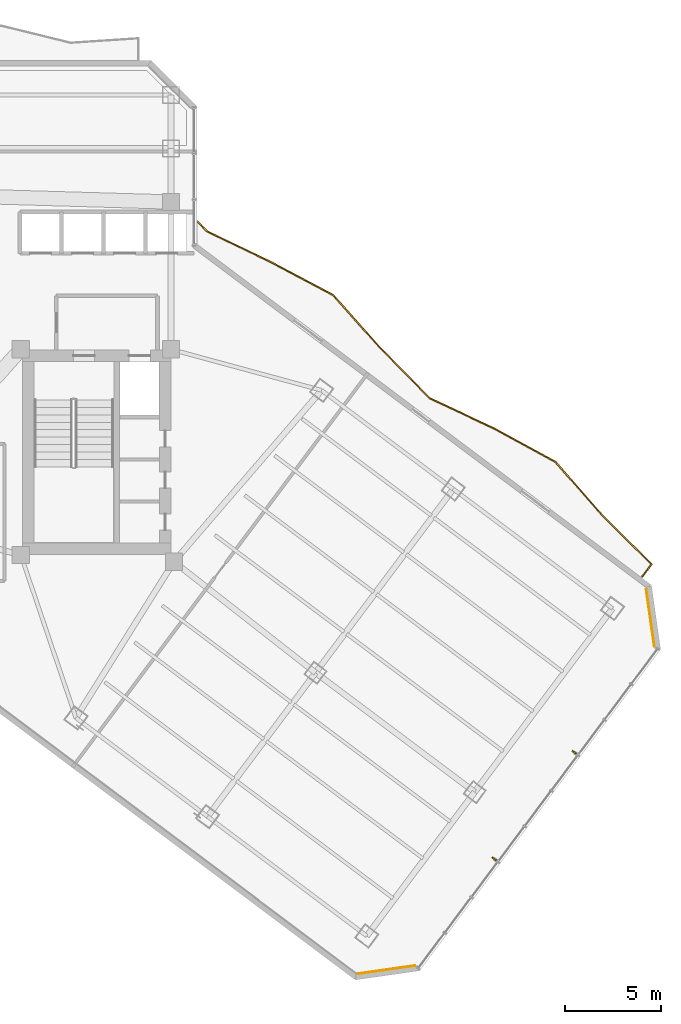
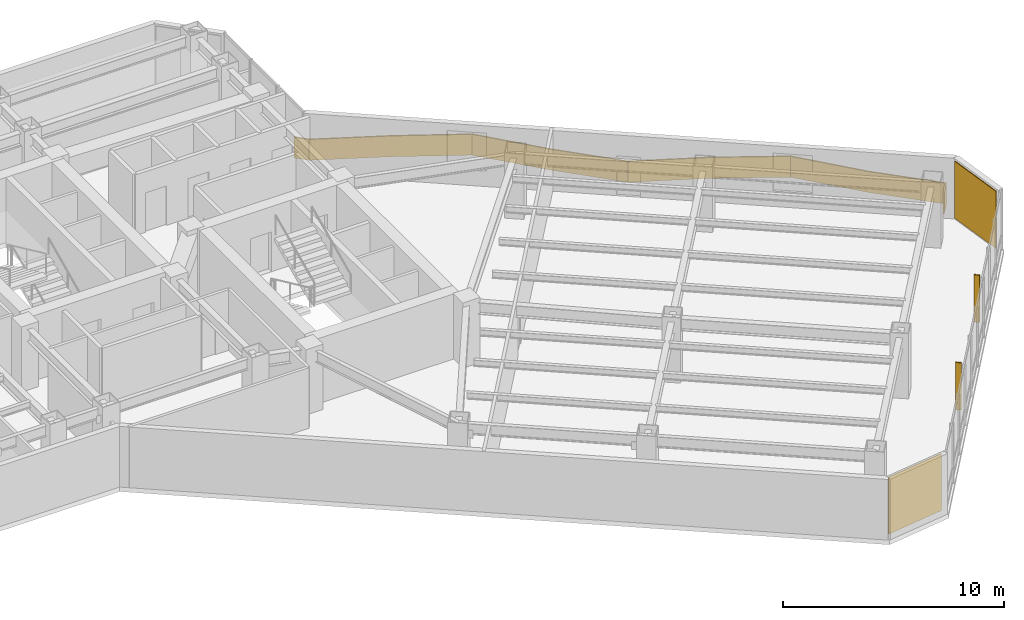
# One storey, part 27 of 29: 2 coverings, 2 shading devices, 1 railing.
"""IFC4 building model written with IfcOpenShell, lengths in metres."""

from ifc_helpers import new_model, si_unit, direction, frame, origin, origin_2d, place, context, subcontext, project, spatial, polyline, rectangle, outline, extrude, material, layer, layer_set, type_object, element, save


model = new_model("IFC4")

# Units and contexts
model_context = context("Model", 3, precision=1e-05, world=origin(), true_north=direction((0.0, 1.0)))
body_context = subcontext(model_context, "Body", "Model", "MODEL_VIEW")
ifc_project = project(units=[si_unit("LENGTHUNIT", "METRE"), si_unit("AREAUNIT", "SQUARE_METRE"), si_unit("VOLUMEUNIT", "CUBIC_METRE"), si_unit("PLANEANGLEUNIT", "RADIAN"), si_unit("MASSUNIT", "GRAM", prefix="KILO")], contexts=[model_context])

# Site, building, storey
site_placement = place(None, origin())
site = spatial("IfcSite", under=ifc_project, at=site_placement, CompositionType="ELEMENT")
building_placement = place(site_placement, origin())
building = spatial("IfcBuilding", under=site, at=building_placement, Name="Hatsunagi Terrace Concourse", CompositionType="ELEMENT")
storey_placement = place(building_placement, frame((0.0, 0.0, 115.64990234375)))
storey = spatial("IfcBuildingStorey", under=building, at=storey_placement, Name="L30", CompositionType="ELEMENT", Elevation=115.64990234375)

# Railing
ifc_material_1 = material(Name="Laminated Glass and Stainless Steel Guard", Category="steel")
ifc_layer_1 = layer(ifc_material_1, 0.070068359375)
ifc_layer_set_1 = layer_set([ifc_layer_1], Name="BalconyGlassGuardRail_1150")
railing_type = type_object("IfcRailingType", Name="BalconyGlassGuardRail_1150", PredefinedType="BALUSTRADE", material=ifc_layer_set_1)
railing_placement = place(storey_placement, origin())
element("IfcRailing", 1, at=railing_placement, inside=storey, type_object=railing_type, Name="Engawa Balcony Guard GRD-01 L30-BSE-1", PredefinedType="BALUSTRADE", context=body_context, shape_type="SweptSolid", body=[
    extrude(outline(polyline([(45.0712890625, 41.998291015625), (45.020751953125, 41.94970703125), (45.518310546875, 41.43310546875), (48.8701171875, 39.82373046875), (52.10400390625, 38.10791015625), (54.557373046875, 35.34716796875), (57.1484375, 32.717041015625), (60.519287109375, 31.1337890625), (63.725830078125, 29.38330078125), (66.16259765625, 26.596923828125), (68.716796875, 24.063720703125), (68.241943359375, 23.430908203125), (68.298095703125, 23.388916015625), (68.809326171875, 24.0703125), (66.21337890625, 26.64501953125), (63.770263671875, 29.438720703125), (60.55078125, 31.1962890625), (57.189453125, 32.77490234375), (54.608642578125, 35.39501953125), (52.14794921875, 38.1640625), (48.90185546875, 39.88623046875), (45.559814453125, 41.49072265625), (45.0712890625, 41.998291015625)])), origin(), (0.0, 0.0, 1.0), 1.150146484375),
])

# Shading devices
ifc_material_2 = material(Name="Extruded Unglazed Terracotta Baguette", Category="masonry")
shading_device_type = type_object("IfcShadingDeviceType", Name="TerracottaFinScreen_260x70", PredefinedType="USERDEFINED", material=ifc_material_2)
for number, where, z_axis, x_axis, name in (
    (2, (64.716064453125, 14.239013671875, 0.85009765625), (0.0, 0.0, 1.0), (-0.599969314634, -0.800023013105, 0.0), "Terracotta Baguette Fin Screen SCR-01"),
    (3, (60.5400390625, 8.6689453125, 0.85009765625), (0.0, 0.0, 1.0), (-0.599969314634, -0.800023013105, 0.0), "Terracotta Baguette Fin Screen SCR-01"),
):
    element("IfcShadingDevice", number, at=place(storey_placement, frame(where, z_axis=z_axis, x_axis=x_axis)), inside=storey, type_object=shading_device_type, Name=name, ObjectType="SUNSHADE", PredefinedType="USERDEFINED", context=body_context, shape_type="SweptSolid", body=[
        extrude(rectangle(XDim=0.070068359375, YDim=0.260009765625, at=origin_2d()), origin(), (0.0, 0.0, 1.0), 2.60009765625),
    ])

# Coverings
ifc_material_3 = material(Name="Unglazed Warm Terracotta Rainscreen Tile", Category="masonry")
ifc_layer_2 = layer(ifc_material_3, 0.044921875)
ifc_layer_set_2 = layer_set([ifc_layer_2], Name="TerracottaRainscreenCladding_45")
covering_type = type_object("IfcCoveringType", Name="TerracottaRainscreenCladding_45", PredefinedType="CLADDING", material=ifc_layer_set_2)
for number, where, z_axis, x_axis, name in (
    (4, (68.700927734375, 21.258056640625, 0.10009765625), (0.0, 0.0, 1.0), (0.141250262458, -0.989973920543, 0.0), "Terracotta Rainscreen Cladding L30-02"),
    (5, (54.91796875, 2.87890625, 0.10009765625), (0.0, 0.0, 1.0), (-0.989973920543, -0.141250262458, 0.0), "Terracotta Rainscreen Cladding L30-04"),
):
    element("IfcCovering", number, at=place(storey_placement, frame(where, z_axis=z_axis, x_axis=x_axis)), inside=storey, type_object=covering_type, Name=name, PredefinedType="CLADDING", context=body_context, shape_type="SweptSolid", body=[
        extrude(rectangle(XDim=3.0380859375, YDim=0.044921875, at=origin_2d()), origin(), (0.0, 0.0, 1.0), 3.14990234375),
    ])

save(model, "model.ifc")
